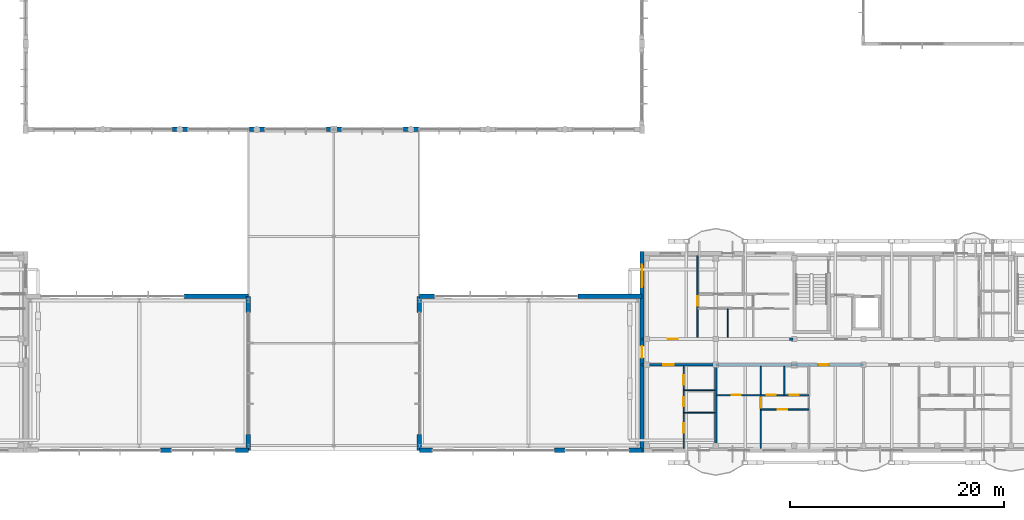
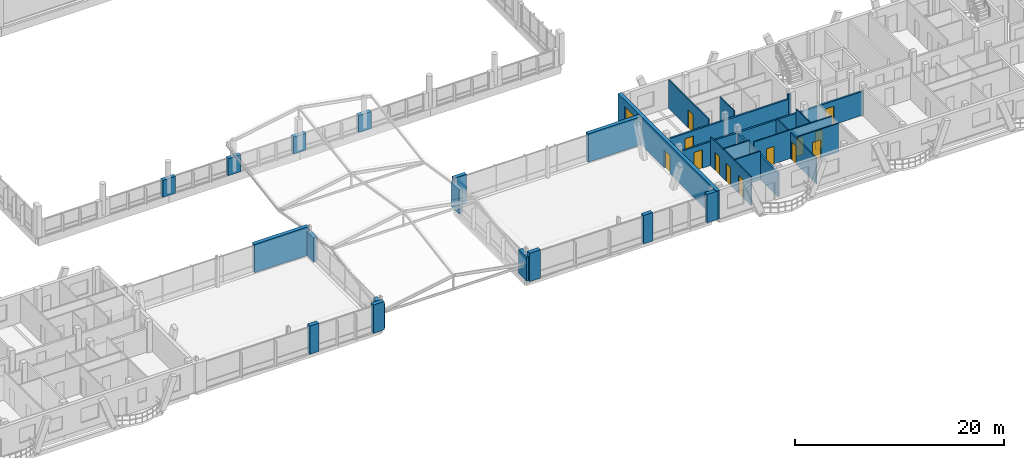
# One storey, part 147 of 189: 31 walls, 13 doors, 1 window, 14 openings.
"""IFC4 building model written with IfcOpenShell, lengths in metres."""

from ifc_helpers import new_model, si_unit, direction, frame, frame_2d, origin, origin_with_axes, place, context, subcontext, project, spatial, rectangle, extrude, material, layer, layer_set, type_object, element, fill, save


model = new_model("IFC4")

# Units and contexts
model_context = context("Model", 3, precision=1e-05, world=origin(), true_north=direction((0.0, 1.0)))
body_context = subcontext(model_context, "Body", "Model", "MODEL_VIEW")
ifc_project = project(units=[si_unit("LENGTHUNIT", "METRE"), si_unit("AREAUNIT", "SQUARE_METRE"), si_unit("VOLUMEUNIT", "CUBIC_METRE"), si_unit("PLANEANGLEUNIT", "RADIAN"), si_unit("MASSUNIT", "GRAM", prefix="KILO")], contexts=[model_context])

# Site, building, storey
site_placement = place(None, origin())
site = spatial("IfcSite", under=ifc_project, at=site_placement, CompositionType="ELEMENT")
building_placement = place(site_placement, origin())
building = spatial("IfcBuilding", under=site, at=building_placement, Name="Zavelmont Quarter", CompositionType="ELEMENT")
storey_placement = place(building_placement, frame((0.0, 0.0, 4.39990234375)))
storey = spatial("IfcBuildingStorey", under=building, at=storey_placement, Name="L01", CompositionType="ELEMENT", Elevation=4.39990234375)

# Wall, openings, door, window
ifc_material_1 = material(Name="Natural Belgian limestone", Category="masonry")
ifc_layer_1 = layer(ifc_material_1, 0.3798828125)
ifc_layer_set_1 = layer_set([ifc_layer_1], Name="Natural Belgian limestone")
wall_type_1 = type_object("IfcWallType", Name="EW01", PredefinedType="STANDARD", material=ifc_layer_set_1)
wall_1_placement = place(storey_placement, frame((112.800048828125, -0.18994140625, 0.0), z_axis=(0.0, 0.0, 1.0), x_axis=(0.0, 1.0, 0.0)))
wall_1 = element("IfcWall", 1, at=wall_1_placement, inside=storey, type_object=wall_type_1, Name="L01 exterior limestone wall EW01", PredefinedType="STANDARD", context=body_context, shape_type="SweptSolid", body=[
    extrude(rectangle(XDim=18.780029296875, YDim=0.3798828125, at=frame_2d((9.39013671875, 0.0))), origin(), (0.0, 0.0, 1.0), 3.330078125),
])
opening_1_placement = place(wall_1_placement, frame((8.840087890625, 0.0, 0.0)))
opening_1 = element("IfcOpeningElement", 2, at=opening_1_placement, cuts=wall_1, Name="Opening DR04B", PredefinedType="OPENING", context=body_context, shape_type="SweptSolid", body=[
    extrude(rectangle(XDim=1.10009765625, YDim=2.10009765625, at=frame_2d((0.550048828125, 1.050048828125))), frame((0.0, 0.201904296875, 0.0), z_axis=(0.0, -1.0, 0.0), x_axis=(1.0, 0.0, 0.0)), (0.0, 0.0, 1.0), 0.40380859375),
])
opening_2_placement = place(wall_1_placement, frame((15.43994140625, 0.0, 0.719970703125)))
opening_2 = element("IfcOpeningElement", 3, at=opening_2_placement, cuts=wall_1, Name="Opening WN05", PredefinedType="OPENING", context=body_context, shape_type="SweptSolid", body=[
    extrude(rectangle(XDim=2.10009765625, YDim=1.89990234375, at=frame_2d((1.050048828125, 0.949951171875))), frame((0.0, 0.201904296875, 0.0), z_axis=(0.0, -1.0, 0.0), x_axis=(1.0, 0.0, 0.0)), (0.0, 0.0, 1.0), 0.40380859375),
])
ifc_material_2 = material(Name="Thermally broken aluminium and double safety glass", Category="aluminium")
door_type_1 = type_object("IfcDoorType", Name="DR04B", OperationType="NOTDEFINED", PredefinedType="DOOR", material=ifc_material_2)
door_1_placement = place(opening_1_placement, frame((1.10009765625, 0.0, 0.0), z_axis=(0.0, 0.0, 1.0), x_axis=(-1.0, 0.0, 0.0)))
door_1 = element("IfcDoor", 4, at=door_1_placement, inside=storey, type_object=door_type_1, Name="Block D L01 street arcade link door", OperationType="SINGLE_SWING_RIGHT", OverallHeight=2.10009765625, OverallWidth=1.10009765625, PredefinedType="DOOR", context=body_context, shape_type="SweptSolid", body=[
    extrude(rectangle(XDim=1.10009765625, YDim=2.10009765625, at=frame_2d((0.550048828125, 1.050048828125))), frame((0.0, 0.02490234375, 0.0), z_axis=(0.0, -1.0, 0.0), x_axis=(1.0, 0.0, 0.0)), (0.0, 0.0, 1.0), 0.050048828125),
])
fill(opening_1, door_1)
ifc_material_3 = material(Name="Double low-E insulated glazing in thermally broken aluminium frame", Category="aluminium")
window_type = type_object("IfcWindowType", Name="WN05", PartitioningType="SINGLE_PANEL", PredefinedType="WINDOW", material=ifc_material_3)
window_placement = place(opening_2_placement, origin_with_axes())
window = element("IfcWindow", 5, at=window_placement, inside=storey, type_object=window_type, Name="L01 window WN05", OverallHeight=1.89990234375, OverallWidth=2.10009765625, PartitioningType="SINGLE_PANEL", PredefinedType="WINDOW", context=body_context, shape_type="SweptSolid", body=[
    extrude(rectangle(XDim=2.10009765625, YDim=1.89990234375, at=frame_2d((1.050048828125, 0.949951171875))), frame((0.0, 0.030029296875, 0.0), z_axis=(0.0, -1.0, 0.0), x_axis=(1.0, 0.0, 0.0)), (0.0, 0.0, 1.0), 0.06005859375),
])
fill(opening_2, window)

# Walls
ifc_layer_2 = layer(ifc_material_1, 0.419921875)
ifc_layer_set_2 = layer_set([ifc_layer_2], Name="Natural Belgian limestone")
wall_type_2 = type_object("IfcWallType", Name="EW04", PredefinedType="STANDARD", material=ifc_layer_set_2)
wall_2_placement = place(storey_placement, frame((68.89990234375, 30.0, -0.27978515625), z_axis=(0.0, 0.0, 1.0), x_axis=(1.0, 0.0, 0.0)))
element("IfcWall", 6, at=wall_2_placement, inside=storey, type_object=wall_type_2, Name="L01 exterior limestone wall EW04", PredefinedType="STANDARD", context=body_context, shape_type="SweptSolid", body=[
    extrude(rectangle(XDim=1.400146484375, YDim=0.419921875, at=frame_2d((0.7001953125, 0.0))), origin(), (0.0, 0.0, 1.0), 1.974853515625),
])
for number, where, z_axis, x_axis, name in (
    (7, (76.10009765625, 30.0, -0.27978515625), (0.0, 0.0, 1.0), (1.0, 0.0, 0.0), "L01 exterior limestone wall EW04"),
    (8, (83.300048828125, 30.0, -0.27978515625), (0.0, 0.0, 1.0), (1.0, 0.0, 0.0), "L01 exterior limestone wall EW04"),
    (9, (90.5, 30.0, -0.27978515625), (0.0, 0.0, 1.0), (1.0, 0.0, 0.0), "L01 exterior limestone wall EW04"),
):
    element("IfcWall", number, at=place(storey_placement, frame(where, z_axis=z_axis, x_axis=x_axis)), inside=storey, type_object=wall_type_2, Name=name, PredefinedType="STANDARD", context=body_context, shape_type="SweptSolid", body=[
        extrude(rectangle(XDim=1.39990234375, YDim=0.419921875, at=frame_2d((0.699951171875, 0.0))), origin(), (0.0, 0.0, 1.0), 1.974853515625),
    ])
wall_3_placement = place(storey_placement, frame((67.800048828125, 0.0, 0.0), z_axis=(0.0, 0.0, 1.0), x_axis=(1.0, 0.0, 0.0)))
element("IfcWall", 10, at=wall_3_placement, inside=storey, type_object=wall_type_2, Name="L01 exterior limestone wall EW04", PredefinedType="STANDARD", context=body_context, shape_type="SweptSolid", body=[
    extrude(rectangle(XDim=1.0, YDim=0.419921875, at=frame_2d((0.5, 0.0))), origin(), (0.0, 0.0, 1.0), 3.31005859375),
])
wall_4_placement = place(storey_placement, frame((74.800048828125, 0.0, 0.0), z_axis=(0.0, 0.0, 1.0), x_axis=(1.0, 0.0, 0.0)))
element("IfcWall", 11, at=wall_4_placement, inside=storey, type_object=wall_type_2, Name="L01 exterior limestone wall EW04", PredefinedType="STANDARD", context=body_context, shape_type="SweptSolid", body=[
    extrude(rectangle(XDim=1.199951171875, YDim=0.419921875, at=frame_2d((0.60009765625, 0.0))), origin(), (0.0, 0.0, 1.0), 3.31005859375),
])
wall_5_placement = place(storey_placement, frame((70.0, 14.39990234375, 0.0), z_axis=(0.0, 0.0, 1.0), x_axis=(1.0, 0.0, 0.0)))
element("IfcWall", 12, at=wall_5_placement, inside=storey, type_object=wall_type_2, Name="L01 exterior limestone wall EW04", PredefinedType="STANDARD", context=body_context, shape_type="SweptSolid", body=[
    extrude(rectangle(XDim=6.0, YDim=0.419921875, at=frame_2d((3.0, 0.0))), origin(), (0.0, 0.0, 1.0), 3.31005859375),
])
for number, where, z_axis, x_axis, name in (
    (13, (76.0, 0.0, 0.0), (0.0, 0.0, 1.0), (0.0, 1.0, 0.0), "L01 exterior limestone wall EW04"),
    (14, (76.0, 12.89990234375, 0.0), (0.0, 0.0, 1.0), (0.0, 1.0, 0.0), "L01 exterior limestone wall EW04"),
):
    element("IfcWall", number, at=place(storey_placement, frame(where, z_axis=z_axis, x_axis=x_axis)), inside=storey, type_object=wall_type_2, Name=name, PredefinedType="STANDARD", context=body_context, shape_type="SweptSolid", body=[
        extrude(rectangle(XDim=1.5, YDim=0.419921875, at=frame_2d((0.75, 0.0))), origin(), (0.0, 0.0, 1.0), 2.800048828125),
    ])
wall_6_placement = place(storey_placement, frame((92.0, 0.0, 0.0), z_axis=(0.0, 0.0, 1.0), x_axis=(1.0, 0.0, 0.0)))
element("IfcWall", 15, at=wall_6_placement, inside=storey, type_object=wall_type_2, Name="L01 exterior limestone wall EW04", PredefinedType="STANDARD", context=body_context, shape_type="SweptSolid", body=[
    extrude(rectangle(XDim=1.199951171875, YDim=0.419921875, at=frame_2d((0.60009765625, 0.0))), origin(), (0.0, 0.0, 1.0), 3.31005859375),
])
wall_7_placement = place(storey_placement, frame((104.60009765625, 0.0, 0.0), z_axis=(0.0, 0.0, 1.0), x_axis=(1.0, 0.0, 0.0)))
element("IfcWall", 16, at=wall_7_placement, inside=storey, type_object=wall_type_2, Name="L01 exterior limestone wall EW04", PredefinedType="STANDARD", context=body_context, shape_type="SweptSolid", body=[
    extrude(rectangle(XDim=1.0, YDim=0.419921875, at=frame_2d((0.5, 0.0))), origin(), (0.0, 0.0, 1.0), 3.31005859375),
])
wall_8_placement = place(storey_placement, frame((111.60009765625, 0.0, 0.0), z_axis=(0.0, 0.0, 1.0), x_axis=(1.0, 0.0, 0.0)))
element("IfcWall", 17, at=wall_8_placement, inside=storey, type_object=wall_type_2, Name="L01 exterior limestone wall EW04", PredefinedType="STANDARD", context=body_context, shape_type="SweptSolid", body=[
    extrude(rectangle(XDim=1.199951171875, YDim=0.419921875, at=frame_2d((0.60009765625, 0.0))), origin(), (0.0, 0.0, 1.0), 3.31005859375),
])
wall_9_placement = place(storey_placement, frame((92.0, 14.39990234375, 0.0), z_axis=(0.0, 0.0, 1.0), x_axis=(1.0, 0.0, 0.0)))
element("IfcWall", 18, at=wall_9_placement, inside=storey, type_object=wall_type_2, Name="L01 exterior limestone wall EW04", PredefinedType="STANDARD", context=body_context, shape_type="SweptSolid", body=[
    extrude(rectangle(XDim=1.39990234375, YDim=0.419921875, at=frame_2d((0.699951171875, 0.0))), origin(), (0.0, 0.0, 1.0), 3.31005859375),
])
wall_10_placement = place(storey_placement, frame((106.800048828125, 14.39990234375, 0.0), z_axis=(0.0, 0.0, 1.0), x_axis=(1.0, 0.0, 0.0)))
element("IfcWall", 19, at=wall_10_placement, inside=storey, type_object=wall_type_2, Name="L01 exterior limestone wall EW04", PredefinedType="STANDARD", context=body_context, shape_type="SweptSolid", body=[
    extrude(rectangle(XDim=6.0, YDim=0.419921875, at=frame_2d((3.0, 0.0))), origin(), (0.0, 0.0, 1.0), 3.31005859375),
])
for number, where, z_axis, x_axis, name in (
    (20, (92.0, 0.0, 0.0), (0.0, 0.0, 1.0), (0.0, 1.0, 0.0), "L01 exterior limestone wall EW04"),
    (21, (92.0, 12.89990234375, 0.0), (0.0, 0.0, 1.0), (0.0, 1.0, 0.0), "L01 exterior limestone wall EW04"),
):
    element("IfcWall", number, at=place(storey_placement, frame(where, z_axis=z_axis, x_axis=x_axis)), inside=storey, type_object=wall_type_2, Name=name, PredefinedType="STANDARD", context=body_context, shape_type="SweptSolid", body=[
        extrude(rectangle(XDim=1.5, YDim=0.419921875, at=frame_2d((0.75, 0.0))), origin(), (0.0, 0.0, 1.0), 2.800048828125),
    ])
ifc_material_4 = material(Name="Calcium-silicate blockwork and acoustic plaster", Category="masonry")
ifc_layer_3 = layer(ifc_material_4, 0.199951171875)
ifc_layer_set_3 = layer_set([ifc_layer_3], Name="Calcium-silicate blockwork and acoustic plaster")
wall_type_3 = type_object("IfcWallType", Name="IW01", PredefinedType="PARTITIONING", material=ifc_layer_set_3)
wall_11_placement = place(storey_placement, frame((119.699951171875, 7.85009765625, 0.0), z_axis=(0.0, 0.0, 1.0), x_axis=(0.0, -1.0, 0.0)))
element("IfcWall", 22, at=wall_11_placement, inside=storey, type_object=wall_type_3, Name="L01 Inter-dwelling compartment wall IW01", PredefinedType="PARTITIONING", context=body_context, shape_type="SweptSolid", body=[
    extrude(rectangle(XDim=7.7001953125, YDim=0.199951171875, at=frame_2d((3.85009765625, 0.0))), origin(), (0.0, 0.0, 1.0), 2.77001953125),
])

# Wall, opening, door
wall_12_placement = place(storey_placement, frame((112.800048828125, 8.0, 0.0), z_axis=(0.0, 0.0, 1.0), x_axis=(1.0, 0.0, 0.0)))
wall_12 = element("IfcWall", 23, at=wall_12_placement, inside=storey, type_object=wall_type_3, Name="L01 Corridor compartment wall IW01", PredefinedType="PARTITIONING", context=body_context, shape_type="SweptSolid", body=[
    extrude(rectangle(XDim=6.89990234375, YDim=0.199951171875, at=frame_2d((3.449951171875, 0.0))), origin(), (0.0, 0.0, 1.0), 2.77001953125),
])
opening_3_placement = place(wall_12_placement, frame((2.0, 0.0, 0.0)))
opening_3 = element("IfcOpeningElement", 24, at=opening_3_placement, cuts=wall_12, Name="Opening DR02", PredefinedType="OPENING", context=body_context, shape_type="SweptSolid", body=[
    extrude(rectangle(XDim=0.949951171875, YDim=2.14990234375, at=frame_2d((0.47509765625, 1.074951171875))), frame((0.0, 0.11181640625, 0.0), z_axis=(0.0, -1.0, 0.0), x_axis=(1.0, 0.0, 0.0)), (0.0, 0.0, 1.0), 0.223876953125),
])
ifc_material_5 = material(Name="Solid-core oak fire leaf in steel frame", Category="steel")
door_type_2 = type_object("IfcDoorType", Name="DR02", OperationType="NOTDEFINED", PredefinedType="DOOR", material=ifc_material_5)
door_2_placement = place(opening_3_placement, frame((0.949951171875, 0.0, 0.0), z_axis=(0.0, 0.0, 1.0), x_axis=(-1.0, 0.0, 0.0)))
door_2 = element("IfcDoor", 25, at=door_2_placement, inside=storey, type_object=door_type_2, Name="L01 door DR02", OperationType="SINGLE_SWING_LEFT", OverallHeight=2.14990234375, OverallWidth=0.949951171875, PredefinedType="DOOR", context=body_context, shape_type="SweptSolid", body=[
    extrude(rectangle(XDim=0.949951171875, YDim=2.14990234375, at=frame_2d((0.47509765625, 1.074951171875))), frame((0.0, 0.02490234375, 0.0), z_axis=(0.0, -1.0, 0.0), x_axis=(1.0, 0.0, 0.0)), (0.0, 0.0, 1.0), 0.050048828125),
])
fill(opening_3, door_2)

wall_13_placement = place(storey_placement, frame((119.699951171875, 8.0, 0.0), z_axis=(0.0, 0.0, 1.0), x_axis=(1.0, 0.0, 0.0)))
wall_13 = element("IfcWall", 26, at=wall_13_placement, inside=storey, type_object=wall_type_3, Name="L01 Corridor compartment wall IW01", PredefinedType="PARTITIONING", context=body_context, shape_type="SweptSolid", body=[
    extrude(rectangle(XDim=13.800048828125, YDim=0.199951171875, at=frame_2d((6.89990234375, 0.0))), origin(), (0.0, 0.0, 1.0), 2.77001953125),
])
opening_4_placement = place(wall_13_placement, frame((9.60009765625, 0.0, 0.0)))
opening_4 = element("IfcOpeningElement", 27, at=opening_4_placement, cuts=wall_13, Name="Opening DR02", PredefinedType="OPENING", context=body_context, shape_type="SweptSolid", body=[
    extrude(rectangle(XDim=0.949951171875, YDim=2.14990234375, at=frame_2d((0.47509765625, 1.074951171875))), frame((0.0, 0.11181640625, 0.0), z_axis=(0.0, -1.0, 0.0), x_axis=(1.0, 0.0, 0.0)), (0.0, 0.0, 1.0), 0.223876953125),
])
door_3_placement = place(opening_4_placement, frame((0.949951171875, 0.0, 0.0), z_axis=(0.0, 0.0, 1.0), x_axis=(-1.0, 0.0, 0.0)))
door_3 = element("IfcDoor", 28, at=door_3_placement, inside=storey, type_object=door_type_2, Name="L01 door DR02", OperationType="SINGLE_SWING_RIGHT", OverallHeight=2.14990234375, OverallWidth=0.949951171875, PredefinedType="DOOR", context=body_context, shape_type="SweptSolid", body=[
    extrude(rectangle(XDim=0.949951171875, YDim=2.14990234375, at=frame_2d((0.47509765625, 1.074951171875))), frame((0.0, 0.02490234375, 0.0), z_axis=(0.0, -1.0, 0.0), x_axis=(1.0, 0.0, 0.0)), (0.0, 0.0, 1.0), 0.050048828125),
])
fill(opening_4, door_3)

wall_14_placement = place(storey_placement, frame((112.800048828125, 10.39990234375, 0.0), z_axis=(0.0, 0.0, 1.0), x_axis=(1.0, 0.0, 0.0)))
wall_14 = element("IfcWall", 29, at=wall_14_placement, inside=storey, type_object=wall_type_3, Name="L01 Corridor compartment wall IW01", PredefinedType="PARTITIONING", context=body_context, shape_type="SweptSolid", body=[
    extrude(rectangle(XDim=13.800048828125, YDim=0.199951171875, at=frame_2d((6.89990234375, 0.0))), origin(), (0.0, 0.0, 1.0), 2.77001953125),
])
opening_5_placement = place(wall_14_placement, frame((2.39990234375, 0.0, 0.0)))
opening_5 = element("IfcOpeningElement", 30, at=opening_5_placement, cuts=wall_14, Name="Opening DR02", PredefinedType="OPENING", context=body_context, shape_type="SweptSolid", body=[
    extrude(rectangle(XDim=0.949951171875, YDim=2.14990234375, at=frame_2d((0.47509765625, 1.074951171875))), frame((0.0, 0.11181640625, 0.0), z_axis=(0.0, -1.0, 0.0), x_axis=(1.0, 0.0, 0.0)), (0.0, 0.0, 1.0), 0.223876953125),
])
door_4_placement = place(opening_5_placement, origin_with_axes())
door_4 = element("IfcDoor", 31, at=door_4_placement, inside=storey, type_object=door_type_2, Name="L01 door DR02", OperationType="SINGLE_SWING_LEFT", OverallHeight=2.14990234375, OverallWidth=0.949951171875, PredefinedType="DOOR", context=body_context, shape_type="SweptSolid", body=[
    extrude(rectangle(XDim=0.949951171875, YDim=2.14990234375, at=frame_2d((0.47509765625, 1.074951171875))), frame((0.0, 0.02490234375, 0.0), z_axis=(0.0, -1.0, 0.0), x_axis=(1.0, 0.0, 0.0)), (0.0, 0.0, 1.0), 0.050048828125),
])
fill(opening_5, door_4)

# Wall
ifc_material_6 = material(Name="Reinforced masonry fire compartment wall", Category="masonry")
ifc_layer_4 = layer(ifc_material_6, 0.22509765625)
ifc_layer_set_4 = layer_set([ifc_layer_4], Name="Reinforced masonry fire compartment wall")
wall_type_4 = type_object("IfcWallType", Name="IW02", PredefinedType="PARTITIONING", material=ifc_layer_set_4)
wall_15_placement = place(storey_placement, frame((126.60009765625, 10.39990234375, 0.0), z_axis=(0.0, 0.0, 1.0), x_axis=(1.0, 0.0, 0.0)))
element("IfcWall", 32, at=wall_15_placement, inside=storey, type_object=wall_type_4, Name="L01 Core corridor wall IW02", PredefinedType="PARTITIONING", context=body_context, shape_type="SweptSolid", body=[
    extrude(rectangle(XDim=0.2998046875, YDim=0.22509765625, at=frame_2d((0.14990234375, 0.0))), origin(), (0.0, 0.0, 1.0), 3.330078125),
])

# Wall, openings, doors
ifc_material_7 = material(Name="Double gypsum board on acoustic steel stud", Category="steel")
ifc_layer_5 = layer(ifc_material_7, 0.125)
ifc_layer_set_5 = layer_set([ifc_layer_5], Name="Double gypsum board on acoustic steel stud")
wall_type_5 = type_object("IfcWallType", Name="IW03", PredefinedType="PARTITIONING", material=ifc_layer_set_5)
wall_16_placement = place(storey_placement, frame((116.699951171875, 7.85009765625, 0.0), z_axis=(0.0, 0.0, 1.0), x_axis=(0.0, -1.0, 0.0)))
wall_16 = element("IfcWall", 33, at=wall_16_placement, inside=storey, type_object=wall_type_5, Name="L01 Partition IW03", PredefinedType="PARTITIONING", context=body_context, shape_type="SweptSolid", body=[
    extrude(rectangle(XDim=7.650146484375, YDim=0.125, at=frame_2d((3.8251953125, 0.0))), origin(), (0.0, 0.0, 1.0), 3.330078125),
])
opening_6_placement = place(wall_16_placement, frame((0.85009765625, 0.0, 0.0)))
opening_6 = element("IfcOpeningElement", 34, at=opening_6_placement, cuts=wall_16, Name="Opening DR16", PredefinedType="OPENING", context=body_context, shape_type="SweptSolid", body=[
    extrude(rectangle(XDim=0.85009765625, YDim=2.10009765625, at=frame_2d((0.425048828125, 1.050048828125))), frame((0.0, 0.074462890625, 0.0), z_axis=(0.0, -1.0, 0.0), x_axis=(1.0, 0.0, 0.0)), (0.0, 0.0, 1.0), 0.14892578125),
])
opening_7_placement = place(wall_16_placement, frame((2.89990234375, 0.0, 0.0)))
opening_7 = element("IfcOpeningElement", 35, at=opening_7_placement, cuts=wall_16, Name="Opening DR06", PredefinedType="OPENING", context=body_context, shape_type="SweptSolid", body=[
    extrude(rectangle(XDim=0.85009765625, YDim=2.050048828125, at=frame_2d((0.425048828125, 1.02490234375))), frame((0.0, 0.074462890625, 0.0), z_axis=(0.0, -1.0, 0.0), x_axis=(1.0, 0.0, 0.0)), (0.0, 0.0, 1.0), 0.14892578125),
])
opening_8_placement = place(wall_16_placement, frame((5.300048828125, 0.0, 0.0)))
opening_8 = element("IfcOpeningElement", 36, at=opening_8_placement, cuts=wall_16, Name="Opening DR05", PredefinedType="OPENING", context=body_context, shape_type="SweptSolid", body=[
    extrude(rectangle(XDim=0.89990234375, YDim=2.10009765625, at=frame_2d((0.449951171875, 1.050048828125))), frame((0.0, 0.074462890625, 0.0), z_axis=(0.0, -1.0, 0.0), x_axis=(1.0, 0.0, 0.0)), (0.0, 0.0, 1.0), 0.14892578125),
])
ifc_material_8 = material(Name="Engineered oak flush interior door")
door_type_3 = type_object("IfcDoorType", Name="DR05", OperationType="NOTDEFINED", PredefinedType="DOOR", material=ifc_material_8)
door_5_placement = place(opening_8_placement, frame((0.89990234375, 0.0, 0.0), z_axis=(0.0, 0.0, 1.0), x_axis=(-1.0, 0.0, 0.0)))
door_5 = element("IfcDoor", 37, at=door_5_placement, inside=storey, type_object=door_type_3, Name="L01 door DR05", OperationType="SINGLE_SWING_LEFT", OverallHeight=2.10009765625, OverallWidth=0.89990234375, PredefinedType="DOOR", context=body_context, shape_type="SweptSolid", body=[
    extrude(rectangle(XDim=0.89990234375, YDim=2.10009765625, at=frame_2d((0.449951171875, 1.050048828125))), frame((0.0, 0.02490234375, 0.0), z_axis=(0.0, -1.0, 0.0), x_axis=(1.0, 0.0, 0.0)), (0.0, 0.0, 1.0), 0.050048828125),
])
fill(opening_8, door_5)
ifc_material_9 = material(Name="Moisture-resistant painted wet-room door")
door_type_4 = type_object("IfcDoorType", Name="DR06", OperationType="NOTDEFINED", PredefinedType="DOOR", material=ifc_material_9)
door_6_placement = place(opening_7_placement, origin_with_axes())
door_6 = element("IfcDoor", 38, at=door_6_placement, inside=storey, type_object=door_type_4, Name="L01 door DR06", OperationType="SINGLE_SWING_RIGHT", OverallHeight=2.050048828125, OverallWidth=0.85009765625, PredefinedType="DOOR", context=body_context, shape_type="SweptSolid", body=[
    extrude(rectangle(XDim=0.85009765625, YDim=2.050048828125, at=frame_2d((0.425048828125, 1.02490234375))), frame((0.0, 0.02490234375, 0.0), z_axis=(0.0, -1.0, 0.0), x_axis=(1.0, 0.0, 0.0)), (0.0, 0.0, 1.0), 0.050048828125),
])
fill(opening_7, door_6)
door_type_5 = type_object("IfcDoorType", Name="DR16", OperationType="NOTDEFINED", PredefinedType="DOOR", material=ifc_material_8)
door_7_placement = place(opening_6_placement, frame((0.85009765625, 0.0, 0.0), z_axis=(0.0, 0.0, 1.0), x_axis=(-1.0, 0.0, 0.0)))
door_7 = element("IfcDoor", 39, at=door_7_placement, inside=storey, type_object=door_type_5, Name="L01 door DR16", OperationType="SINGLE_SWING_LEFT", OverallHeight=2.10009765625, OverallWidth=0.85009765625, PredefinedType="DOOR", context=body_context, shape_type="SweptSolid", body=[
    extrude(rectangle(XDim=0.85009765625, YDim=2.10009765625, at=frame_2d((0.425048828125, 1.050048828125))), frame((0.0, 0.02490234375, 0.0), z_axis=(0.0, -1.0, 0.0), x_axis=(1.0, 0.0, 0.0)), (0.0, 0.0, 1.0), 0.050048828125),
])
fill(opening_6, door_7)

# Wall, opening, door
wall_17_placement = place(storey_placement, frame((123.89990234375, 7.85009765625, 0.0), z_axis=(0.0, 0.0, 1.0), x_axis=(0.0, -1.0, 0.0)))
wall_17 = element("IfcWall", 40, at=wall_17_placement, inside=storey, type_object=wall_type_5, Name="L01 Partition IW03", PredefinedType="PARTITIONING", context=body_context, shape_type="SweptSolid", body=[
    extrude(rectangle(XDim=7.650146484375, YDim=0.125, at=frame_2d((3.8251953125, 0.0))), origin(), (0.0, 0.0, 1.0), 2.989990234375),
])
opening_9_placement = place(wall_17_placement, frame((2.949951171875, 0.0, 0.0)))
opening_9 = element("IfcOpeningElement", 41, at=opening_9_placement, cuts=wall_17, Name="Opening DR05", PredefinedType="OPENING", context=body_context, shape_type="SweptSolid", body=[
    extrude(rectangle(XDim=0.89990234375, YDim=2.10009765625, at=frame_2d((0.449951171875, 1.050048828125))), frame((0.0, 0.074462890625, 0.0), z_axis=(0.0, -1.0, 0.0), x_axis=(1.0, 0.0, 0.0)), (0.0, 0.0, 1.0), 0.14892578125),
])
door_8_placement = place(opening_9_placement, origin_with_axes())
door_8 = element("IfcDoor", 42, at=door_8_placement, inside=storey, type_object=door_type_3, Name="L01 door DR05", OperationType="SINGLE_SWING_LEFT", OverallHeight=2.10009765625, OverallWidth=0.89990234375, PredefinedType="DOOR", context=body_context, shape_type="SweptSolid", body=[
    extrude(rectangle(XDim=0.89990234375, YDim=2.10009765625, at=frame_2d((0.449951171875, 1.050048828125))), frame((0.0, 0.02490234375, 0.0), z_axis=(0.0, -1.0, 0.0), x_axis=(1.0, 0.0, 0.0)), (0.0, 0.0, 1.0), 0.050048828125),
])
fill(opening_9, door_8)

wall_18_placement = place(storey_placement, frame((123.89990234375, 3.800048828125, 0.0), z_axis=(0.0, 0.0, 1.0), x_axis=(1.0, 0.0, 0.0)))
wall_18 = element("IfcWall", 43, at=wall_18_placement, inside=storey, type_object=wall_type_5, Name="L01 Partition IW03", PredefinedType="PARTITIONING", context=body_context, shape_type="SweptSolid", body=[
    extrude(rectangle(XDim=4.5, YDim=0.125, at=frame_2d((2.25, 0.0))), origin(), (0.0, 0.0, 1.0), 3.330078125),
])
opening_10_placement = place(wall_18_placement, frame((1.60009765625, 0.0, 0.0)))
opening_10 = element("IfcOpeningElement", 44, at=opening_10_placement, cuts=wall_18, Name="Opening DR05", PredefinedType="OPENING", context=body_context, shape_type="SweptSolid", body=[
    extrude(rectangle(XDim=0.89990234375, YDim=2.10009765625, at=frame_2d((0.449951171875, 1.050048828125))), frame((0.0, 0.074462890625, 0.0), z_axis=(0.0, -1.0, 0.0), x_axis=(1.0, 0.0, 0.0)), (0.0, 0.0, 1.0), 0.14892578125),
])
door_9_placement = place(opening_10_placement, origin_with_axes())
door_9 = element("IfcDoor", 45, at=door_9_placement, inside=storey, type_object=door_type_3, Name="L01 door DR05", OperationType="SINGLE_SWING_LEFT", OverallHeight=2.10009765625, OverallWidth=0.89990234375, PredefinedType="DOOR", context=body_context, shape_type="SweptSolid", body=[
    extrude(rectangle(XDim=0.89990234375, YDim=2.10009765625, at=frame_2d((0.449951171875, 1.050048828125))), frame((0.0, 0.02490234375, 0.0), z_axis=(0.0, -1.0, 0.0), x_axis=(1.0, 0.0, 0.0)), (0.0, 0.0, 1.0), 0.050048828125),
])
fill(opening_10, door_9)

wall_19_placement = place(storey_placement, frame((118.0, 10.550048828125, 0.0), z_axis=(0.0, 0.0, 1.0), x_axis=(0.0, 1.0, 0.0)))
wall_19 = element("IfcWall", 46, at=wall_19_placement, inside=storey, type_object=wall_type_5, Name="L01 Partition IW03", PredefinedType="PARTITIONING", context=body_context, shape_type="SweptSolid", body=[
    extrude(rectangle(XDim=7.64990234375, YDim=0.125, at=frame_2d((3.824951171875, 0.0))), origin(), (0.0, 0.0, 1.0), 3.330078125),
])
opening_11_placement = place(wall_19_placement, frame((2.949951171875, 0.0, 0.0)))
opening_11 = element("IfcOpeningElement", 47, at=opening_11_placement, cuts=wall_19, Name="Opening DR05", PredefinedType="OPENING", context=body_context, shape_type="SweptSolid", body=[
    extrude(rectangle(XDim=0.89990234375, YDim=2.10009765625, at=frame_2d((0.449951171875, 1.050048828125))), frame((0.0, 0.074462890625, 0.0), z_axis=(0.0, -1.0, 0.0), x_axis=(1.0, 0.0, 0.0)), (0.0, 0.0, 1.0), 0.14892578125),
])
door_10_placement = place(opening_11_placement, frame((0.89990234375, 0.0, 0.0), z_axis=(0.0, 0.0, 1.0), x_axis=(-1.0, 0.0, 0.0)))
door_10 = element("IfcDoor", 48, at=door_10_placement, inside=storey, type_object=door_type_3, Name="L01 door DR05", OperationType="SINGLE_SWING_LEFT", OverallHeight=2.10009765625, OverallWidth=0.89990234375, PredefinedType="DOOR", context=body_context, shape_type="SweptSolid", body=[
    extrude(rectangle(XDim=0.89990234375, YDim=2.10009765625, at=frame_2d((0.449951171875, 1.050048828125))), frame((0.0, 0.02490234375, 0.0), z_axis=(0.0, -1.0, 0.0), x_axis=(1.0, 0.0, 0.0)), (0.0, 0.0, 1.0), 0.050048828125),
])
fill(opening_11, door_10)

# Walls
ifc_material_10 = material(Name="Moisture-resistant gypsum board on steel stud", Category="steel")
ifc_layer_6 = layer(ifc_material_10, 0.10009765625)
ifc_layer_set_6 = layer_set([ifc_layer_6], Name="Moisture-resistant gypsum board on steel stud")
wall_type_6 = type_object("IfcWallType", Name="IW04", PredefinedType="PARTITIONING", material=ifc_layer_set_6)
for number, where, z_axis, x_axis, name in (
    (49, (116.699951171875, 5.60009765625, 0.0), (0.0, 0.0, 1.0), (1.0, 0.0, 0.0), "L01 Partition IW04"),
    (50, (116.699951171875, 3.5, 0.0), (0.0, 0.0, 1.0), (1.0, 0.0, 0.0), "L01 Partition IW04"),
):
    element("IfcWall", number, at=place(storey_placement, frame(where, z_axis=z_axis, x_axis=x_axis)), inside=storey, type_object=wall_type_6, Name=name, PredefinedType="PARTITIONING", context=body_context, shape_type="SweptSolid", body=[
        extrude(rectangle(XDim=2.900146484375, YDim=0.10009765625, at=frame_2d((1.4501953125, 0.0))), origin(), (0.0, 0.0, 1.0), 3.330078125),
    ])
wall_20_placement = place(storey_placement, frame((126.10009765625, 7.85009765625, 0.0), z_axis=(0.0, 0.0, 1.0), x_axis=(0.0, -1.0, 0.0)))
element("IfcWall", 51, at=wall_20_placement, inside=storey, type_object=wall_type_6, Name="L01 Partition IW04", PredefinedType="PARTITIONING", context=body_context, shape_type="SweptSolid", body=[
    extrude(rectangle(XDim=2.7001953125, YDim=0.10009765625, at=frame_2d((1.35009765625, 0.0))), origin(), (0.0, 0.0, 1.0), 3.330078125),
])

# Wall, openings, doors
wall_21_placement = place(storey_placement, frame((119.800048828125, 5.14990234375, 0.0), z_axis=(0.0, 0.0, 1.0), x_axis=(1.0, 0.0, 0.0)))
wall_21 = element("IfcWall", 52, at=wall_21_placement, inside=storey, type_object=wall_type_6, Name="L01 Partition IW04", PredefinedType="PARTITIONING", context=body_context, shape_type="SweptSolid", body=[
    extrude(rectangle(XDim=8.599853515625, YDim=0.10009765625, at=frame_2d((4.2998046875, 0.0))), origin(), (0.0, 0.0, 1.0), 3.330078125),
])
opening_12_placement = place(wall_21_placement, frame((1.39990234375, 0.0, 0.0)))
opening_12 = element("IfcOpeningElement", 53, at=opening_12_placement, cuts=wall_21, Name="Opening DR06", PredefinedType="OPENING", context=body_context, shape_type="SweptSolid", body=[
    extrude(rectangle(XDim=0.85009765625, YDim=2.050048828125, at=frame_2d((0.425048828125, 1.02490234375))), frame((0.0, 0.06201171875, 0.0), z_axis=(0.0, -1.0, 0.0), x_axis=(1.0, 0.0, 0.0)), (0.0, 0.0, 1.0), 0.1240234375),
])
opening_13_placement = place(wall_21_placement, frame((4.64990234375, 0.0, 0.0)))
opening_13 = element("IfcOpeningElement", 54, at=opening_13_placement, cuts=wall_21, Name="Opening DR06", PredefinedType="OPENING", context=body_context, shape_type="SweptSolid", body=[
    extrude(rectangle(XDim=0.85009765625, YDim=2.050048828125, at=frame_2d((0.425048828125, 1.02490234375))), frame((0.0, 0.06201171875, 0.0), z_axis=(0.0, -1.0, 0.0), x_axis=(1.0, 0.0, 0.0)), (0.0, 0.0, 1.0), 0.1240234375),
])
opening_14_placement = place(wall_21_placement, frame((6.800048828125, 0.0, 0.0)))
opening_14 = element("IfcOpeningElement", 55, at=opening_14_placement, cuts=wall_21, Name="Opening DR16", PredefinedType="OPENING", context=body_context, shape_type="SweptSolid", body=[
    extrude(rectangle(XDim=0.85009765625, YDim=2.10009765625, at=frame_2d((0.425048828125, 1.050048828125))), frame((0.0, 0.06201171875, 0.0), z_axis=(0.0, -1.0, 0.0), x_axis=(1.0, 0.0, 0.0)), (0.0, 0.0, 1.0), 0.1240234375),
])
door_11_placement = place(opening_12_placement, frame((0.85009765625, 0.0, 0.0), z_axis=(0.0, 0.0, 1.0), x_axis=(-1.0, 0.0, 0.0)))
door_11 = element("IfcDoor", 56, at=door_11_placement, inside=storey, type_object=door_type_4, Name="L01 door DR06", OperationType="SINGLE_SWING_RIGHT", OverallHeight=2.050048828125, OverallWidth=0.85009765625, PredefinedType="DOOR", context=body_context, shape_type="SweptSolid", body=[
    extrude(rectangle(XDim=0.85009765625, YDim=2.050048828125, at=frame_2d((0.425048828125, 1.02490234375))), frame((0.0, 0.02490234375, 0.0), z_axis=(0.0, -1.0, 0.0), x_axis=(1.0, 0.0, 0.0)), (0.0, 0.0, 1.0), 0.050048828125),
])
fill(opening_12, door_11)
door_12_placement = place(opening_13_placement, origin_with_axes())
door_12 = element("IfcDoor", 57, at=door_12_placement, inside=storey, type_object=door_type_4, Name="L01 door DR06", OperationType="SINGLE_SWING_LEFT", OverallHeight=2.050048828125, OverallWidth=0.85009765625, PredefinedType="DOOR", context=body_context, shape_type="SweptSolid", body=[
    extrude(rectangle(XDim=0.85009765625, YDim=2.050048828125, at=frame_2d((0.425048828125, 1.02490234375))), frame((0.0, 0.02490234375, 0.0), z_axis=(0.0, -1.0, 0.0), x_axis=(1.0, 0.0, 0.0)), (0.0, 0.0, 1.0), 0.050048828125),
])
fill(opening_13, door_12)
door_13_placement = place(opening_14_placement, frame((0.85009765625, 0.0, 0.0), z_axis=(0.0, 0.0, 1.0), x_axis=(-1.0, 0.0, 0.0)))
door_13 = element("IfcDoor", 58, at=door_13_placement, inside=storey, type_object=door_type_5, Name="L01 door DR16", OperationType="SINGLE_SWING_RIGHT", OverallHeight=2.10009765625, OverallWidth=0.85009765625, PredefinedType="DOOR", context=body_context, shape_type="SweptSolid", body=[
    extrude(rectangle(XDim=0.85009765625, YDim=2.10009765625, at=frame_2d((0.425048828125, 1.050048828125))), frame((0.0, 0.02490234375, 0.0), z_axis=(0.0, -1.0, 0.0), x_axis=(1.0, 0.0, 0.0)), (0.0, 0.0, 1.0), 0.050048828125),
])
fill(opening_14, door_13)

# Wall
wall_22_placement = place(storey_placement, frame((120.800048828125, 10.550048828125, 0.0), z_axis=(0.0, 0.0, 1.0), x_axis=(0.0, 1.0, 0.0)))
element("IfcWall", 59, at=wall_22_placement, inside=storey, type_object=wall_type_6, Name="L01 Partition IW04", PredefinedType="PARTITIONING", context=body_context, shape_type="SweptSolid", body=[
    extrude(rectangle(XDim=2.699951171875, YDim=0.10009765625, at=frame_2d((1.35009765625, 0.0))), origin(), (0.0, 0.0, 1.0), 3.330078125),
])

save(model, "model.ifc")
